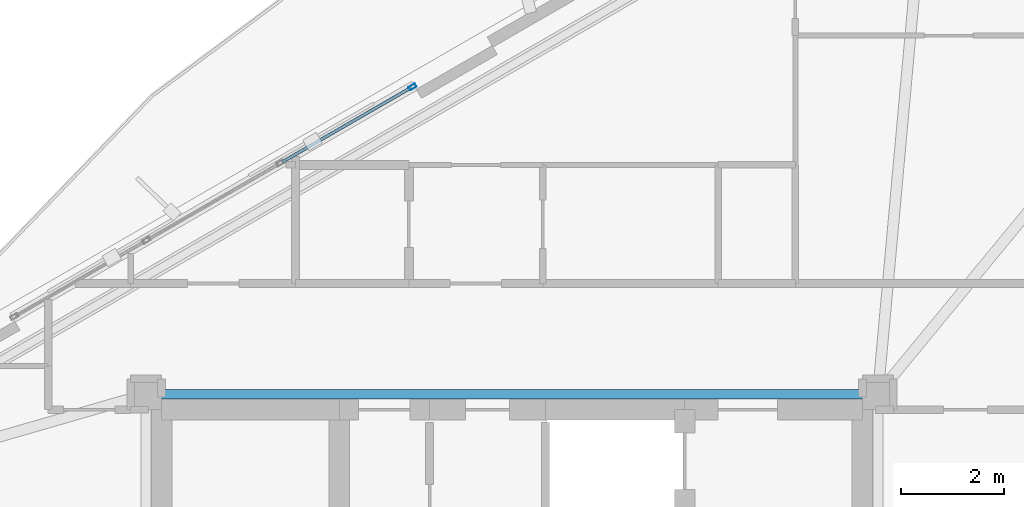
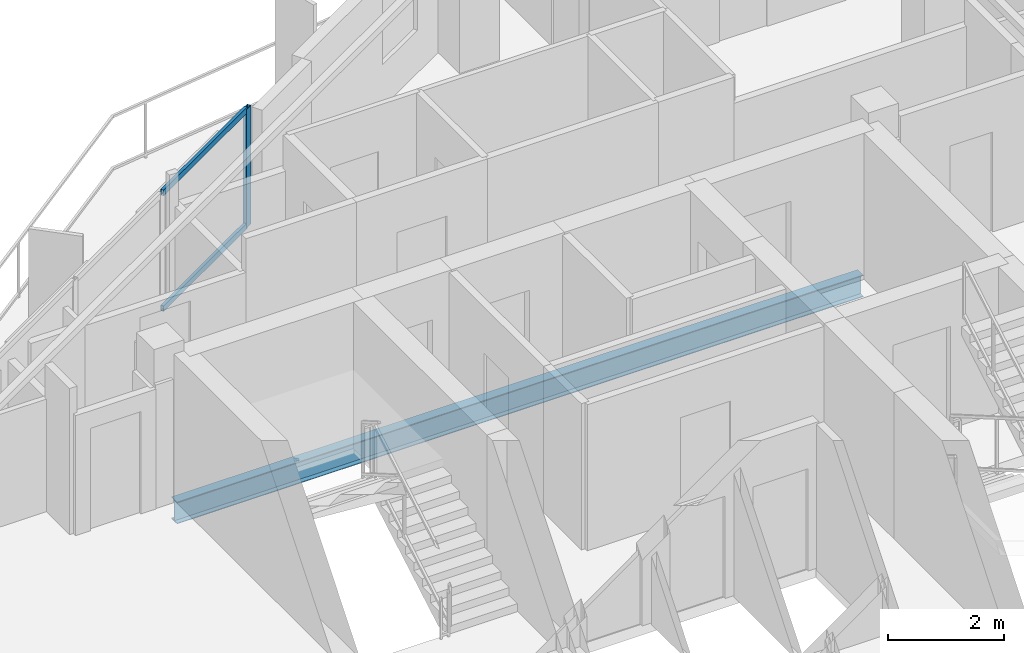
# One storey, part 14 of 22: 3 members, 1 beam, 1 element without a shape of its own.
"""IFC4 building model written with IfcOpenShell, lengths in metres."""

from ifc_helpers import new_model, si_unit, direction, frame, origin, origin_2d, place, context, subcontext, project, spatial, hollow_rectangle, i_section, extrude, material, layer, layer_set, material_profile, profile_set, type_object, element, aggregate, save


model = new_model("IFC4")

# Units and contexts
model_context = context("Model", 3, precision=1e-05, world=origin(), true_north=direction((0.0, 1.0)))
body_context = subcontext(model_context, "Body", "Model", "MODEL_VIEW")
ifc_project = project(units=[si_unit("LENGTHUNIT", "METRE"), si_unit("AREAUNIT", "SQUARE_METRE"), si_unit("VOLUMEUNIT", "CUBIC_METRE"), si_unit("PLANEANGLEUNIT", "RADIAN"), si_unit("MASSUNIT", "GRAM", prefix="KILO")], contexts=[model_context])

# Site, building, storey
site_placement = place(None, origin())
site = spatial("IfcSite", under=ifc_project, at=site_placement, CompositionType="ELEMENT")
building_placement = place(site_placement, origin())
building = spatial("IfcBuilding", under=site, at=building_placement, Name="Mersakhor Tower and Convention Hall", CompositionType="ELEMENT")
storey_placement = place(building_placement, frame((0.0, 0.0, 205.199951171875)))
storey = spatial("IfcBuildingStorey", under=building, at=storey_placement, Name="L57", CompositionType="ELEMENT", Elevation=205.199951171875)

# Beam
ifc_material_1 = material(Name="Steel S355", Category="steel")
ifc_material_profile_1 = material_profile(ifc_material_1, i_section(OverallWidth=0.19140625, OverallDepth=0.4599609375, WebThickness=0.010009765625, FlangeThickness=0.01611328125, at=origin_2d()), Name="UB 457x191x82")
ifc_profile_set_1 = profile_set([ifc_material_profile_1], Name="Steel S355")
beam_type = type_object("IfcBeamType", Name="BM-FB-457", PredefinedType="BEAM", material=ifc_profile_set_1)
beam_placement = place(storey_placement, frame((22.179931640625, 33.050048828125, -0.4599609375), z_axis=(1.0, 0.0, 0.0), x_axis=(0.0, 1.0, 0.0)))
element("IfcBeam", 1, at=beam_placement, inside=storey, type_object=beam_type, Name="L57 Core Ring Tie Beam CRB-2", PredefinedType="BEAM", context=body_context, shape_type="SweptSolid", body=[
    extrude(i_section(OverallWidth=0.19140625, OverallDepth=0.4599609375, WebThickness=0.010009765625, FlangeThickness=0.01611328125, at=origin_2d()), origin(), (0.0, 0.0, 1.0), 13.64013671875),
])

# Curtain wall, members
ifc_material_2 = material(Name="Dark solar low-E aluminium curtain wall", Category="aluminium")
ifc_layer = layer(ifc_material_2, 0.169921875)
ifc_layer_set = layer_set([ifc_layer], Name="Dark solar low-E aluminium curtain wall")
curtain_wall_type = type_object("IfcCurtainWallType", Name="CW-SYS-02", PredefinedType="USERDEFINED", material=ifc_layer_set)
curtain_wall_placement = place(storey_placement, origin())
curtain_wall = element("IfcCurtainWall", 2, at=curtain_wall_placement, inside=storey, type_object=curtain_wall_type, Name="L57 Dark-Glass Curtain Wall F1-B2", ObjectType="CURTAIN WALL", PredefinedType="USERDEFINED")
ifc_material_3 = material(Name="Anodised aluminium EN AW-6063 T6", Category="aluminium")
ifc_material_profile_2 = material_profile(ifc_material_3, hollow_rectangle(XDim=0.074951171875, YDim=0.14990234375, WallThickness=0.00634765625, at=origin_2d()), Name="RHS 150x75x6.3")
ifc_profile_set_2 = profile_set([ifc_material_profile_2], Name="Anodised aluminium EN AW-6063 T6")
member_type_1 = type_object("IfcMemberType", Name="CWM-150x75", PredefinedType="MULLION", material=ifc_profile_set_2)
member_1_placement = place(storey_placement, frame((27.06982421875, 39.016845703125, 0.199951171875), z_axis=(0.0, 0.0, 1.0), x_axis=(-0.500007824483, 0.86602088627, 0.0)))
member_1 = element("IfcMember", 3, at=member_1_placement, type_object=member_type_1, Name="CW-02 mullion 4", PredefinedType="MULLION", context=body_context, shape_type="SweptSolid", body=[
    extrude(hollow_rectangle(XDim=0.074951171875, YDim=0.14990234375, WallThickness=0.00634765625, at=origin_2d()), origin(), (0.0, 0.0, 1.0), 2.489990234375),
])
ifc_material_4 = material(Name="Anodised aluminium EN AW-6063 T6", Category="aluminium")
ifc_material_profile_3 = material_profile(ifc_material_4, hollow_rectangle(XDim=0.06005859375, YDim=0.1201171875, WallThickness=0.0048828125, at=origin_2d()), Name="RHS 120x60x5")
ifc_profile_set_3 = profile_set([ifc_material_profile_3], Name="Anodised aluminium EN AW-6063 T6")
member_type_2 = type_object("IfcMemberType", Name="CWT-120x60", PredefinedType="USERDEFINED", material=ifc_profile_set_3)
member_2_placement = place(storey_placement, frame((24.537109375, 37.554443359375, 0.22998046875), z_axis=(0.86601237176, 0.50002257145, 0.0), x_axis=(-0.50002257145, 0.86601237176, 0.0)))
member_2 = element("IfcMember", 4, at=member_2_placement, type_object=member_type_2, Name="CW-02 transom 3.1", ObjectType="TRANSOM", PredefinedType="USERDEFINED", context=body_context, shape_type="SweptSolid", body=[
    extrude(hollow_rectangle(XDim=0.06005859375, YDim=0.1201171875, WallThickness=0.0048828125, at=origin_2d()), origin(), (0.0, 0.0, 1.0), 2.886962890625),
])
member_3_placement = place(storey_placement, frame((24.537109375, 37.554443359375, 2.66015625), z_axis=(0.86601237176, 0.50002257145, 0.0), x_axis=(-0.50002257145, 0.86601237176, 0.0)))
member_3 = element("IfcMember", 5, at=member_3_placement, type_object=member_type_2, Name="CW-02 transom 3.2", ObjectType="TRANSOM", PredefinedType="USERDEFINED", context=body_context, shape_type="SweptSolid", body=[
    extrude(hollow_rectangle(XDim=0.06005859375, YDim=0.1201171875, WallThickness=0.0048828125, at=origin_2d()), origin(), (0.0, 0.0, 1.0), 2.886962890625),
])
aggregate(curtain_wall, [member_1, member_2, member_3])

save(model, "model.ifc")
